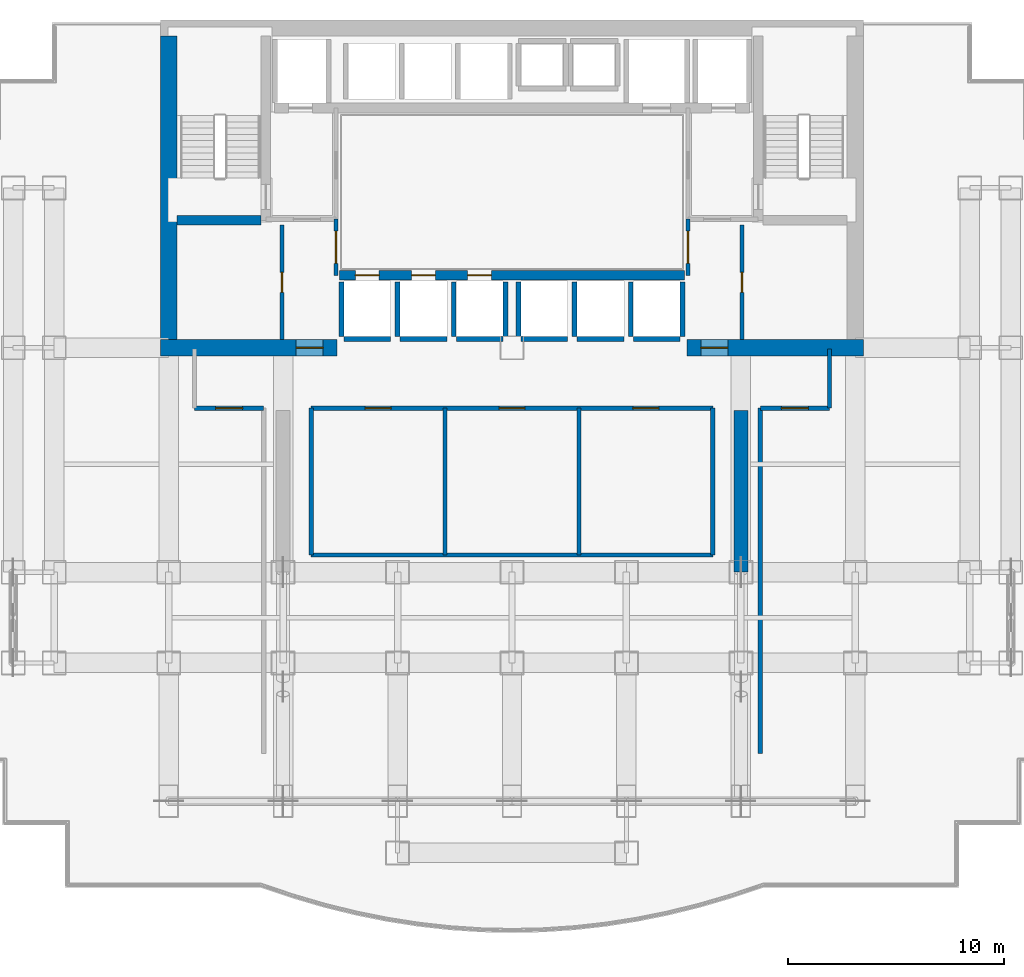
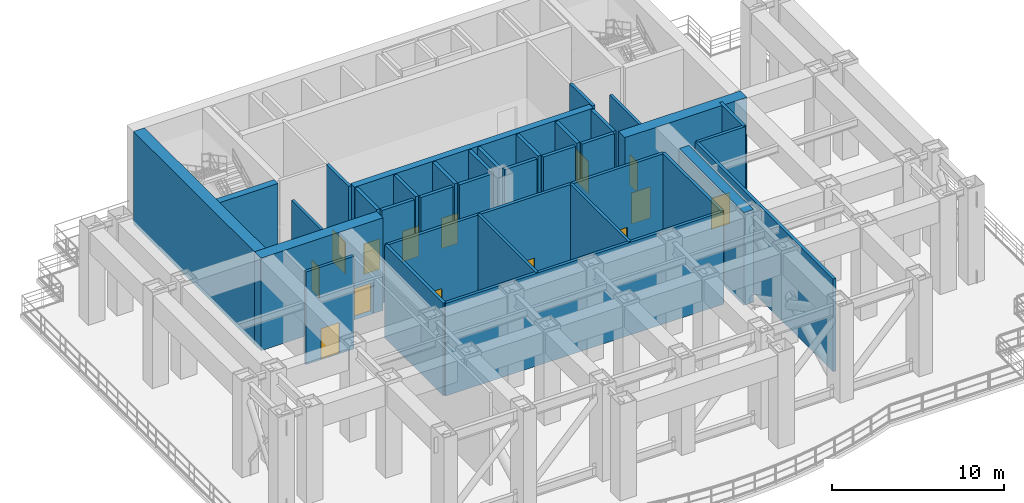
# One storey, part 3 of 7: 34 walls, 14 doors, 14 openings.
"""IFC4 building model written with IfcOpenShell, lengths in metres."""

import ifcopenshell
import ifcopenshell.guid

model = None  # the IFC model being written
_history = None  # IfcOwnerHistory: only IFC2X3 demands one
_inside = {}  # id of a spatial element -> (the spatial element, [elements in it])
_under = {}  # id of a project, library or spatial element -> (it, [spatial elements below it])
_declared = {}  # id of a project -> (the project, [libraries it declares])
_typed = {}  # id of a type object -> (the type object, [elements of that type])
_made_of = {}  # id of a material, layer set ... -> (it, [elements and type objects made of it])


def new_model(schema):
    """Start an empty IFC model of exactly this schema.

    Asked for "IFC4X3", IfcOpenShell would pick the latest addendum, in which some entities
    have other attributes; the version numbers below select the first issue.
    IFC2X3 requires an IfcOwnerHistory on every rooted entity: one is made here for all.
    """
    global model, _history
    if schema == "IFC4X3":
        model = ifcopenshell.file(schema_version=(4, 3, 0, 0))
    else:
        model = ifcopenshell.file(schema=schema)
    _inside.clear()
    _under.clear()
    _declared.clear()
    _typed.clear()
    _made_of.clear()
    _history = None
    if model.schema == "IFC2X3":
        org = make("IfcOrganization", Name="unknown")
        user = make(
            "IfcPersonAndOrganization",
            ThePerson=make("IfcPerson", FamilyName="unknown"),
            TheOrganization=org,
        )
        app = make(
            "IfcApplication",
            ApplicationDeveloper=org,
            Version="unknown",
            ApplicationFullName="unknown",
            ApplicationIdentifier="unknown",
        )
        _history = make(
            "IfcOwnerHistory",
            OwningUser=user,
            OwningApplication=app,
            ChangeAction="ADDED",
            CreationDate=0,
        )
    return model


def make(cls, **values):
    """One entity of the class cls with the attributes given. An attribute that is None is left unset."""
    return model.create_entity(
        cls, **{name: value for name, value in values.items() if value is not None}
    )


def rooted(cls, **values):
    """An entity with a GlobalId (a new one), such as an element, a storey or a relation."""
    return make(cls, GlobalId=ifcopenshell.guid.new(), OwnerHistory=_history, **values)


def si_unit(unit_type, name, prefix=None):
    """IfcSIUnit, for example si_unit("LENGTHUNIT", "METRE", prefix="MILLI")."""
    return make("IfcSIUnit", UnitType=unit_type, Prefix=prefix, Name=name)


def assignment(units):
    """IfcUnitAssignment: the units of a project."""
    return None if units is None else make("IfcUnitAssignment", Units=units)


def point(xyz):
    """IfcCartesianPoint."""
    return None if xyz is None else make("IfcCartesianPoint", Coordinates=xyz)


def direction(xyz):
    """IfcDirection."""
    return None if xyz is None else make("IfcDirection", DirectionRatios=xyz)


def frame(location, z_axis=None, x_axis=None):
    """IfcAxis2Placement3D, a coordinate frame: its origin and axes. An axis left out is left unset."""
    return make(
        "IfcAxis2Placement3D",
        Location=point(location),
        Axis=direction(z_axis),
        RefDirection=direction(x_axis),
    )


def frame_2d(location, x_axis=None):
    """IfcAxis2Placement2D, a coordinate frame in the plane: its origin and x axis."""
    return make(
        "IfcAxis2Placement2D", Location=point(location), RefDirection=direction(x_axis)
    )


def origin():
    """The frame at (0, 0, 0) with its axes left unset."""
    return frame((0.0, 0.0, 0.0))


def place(relative_to, where):
    """IfcLocalPlacement: puts the frame where relative to a parent placement (None: the world)."""
    return make(
        "IfcLocalPlacement", PlacementRelTo=relative_to, RelativePlacement=where
    )


def context(
    kind, dimensions, precision=None, world=None, true_north=None, identifier=None
):
    """IfcGeometricRepresentationContext, for example the 3D "Model" context."""
    return make(
        "IfcGeometricRepresentationContext",
        ContextIdentifier=identifier,
        ContextType=kind,
        CoordinateSpaceDimension=dimensions,
        Precision=precision,
        WorldCoordinateSystem=world,
        TrueNorth=true_north,
    )


def subcontext(parent, identifier, kind, view, scale=None):
    """IfcGeometricRepresentationSubContext, for example "Body" below "Model"."""
    return make(
        "IfcGeometricRepresentationSubContext",
        ContextIdentifier=identifier,
        ContextType=kind,
        ParentContext=parent,
        TargetScale=scale,
        TargetView=view,
    )


def project(units=None, contexts=None):
    """IfcProject with its units and contexts."""
    return rooted(
        "IfcProject",
        Name="project",
        RepresentationContexts=contexts,
        UnitsInContext=assignment(units),
    )


def spatial(cls, under=None, at=None, **own):
    """A site, building, storey or space (cls), placed at a placement, below another one or the project."""
    s = rooted(cls, ObjectPlacement=at, **own)
    if under is not None:
        _under.setdefault(under.id(), (under, []))[1].append(s)
    return s


def profile(cls, at=None, kind="AREA", **sizes):
    """A parametric profile (cls). Its sizes go by their IFC names, for example OverallWidth=200.0."""
    return make(cls, ProfileType=kind, Position=at, **sizes)


def rectangle(**sizes):
    """IfcRectangleProfileDef."""
    return profile("IfcRectangleProfileDef", **sizes)


def extrude(swept, where, along, depth):
    """IfcExtrudedAreaSolid: the profile swept, set in the frame where, extruded along a direction by depth."""
    return make(
        "IfcExtrudedAreaSolid",
        SweptArea=swept,
        Position=where,
        ExtrudedDirection=direction(along),
        Depth=depth,
    )


def shape(context_of_items, identifier, shape_type, items):
    """IfcShapeRepresentation: the items that make up one representation, for example the "Body"."""
    return make(
        "IfcShapeRepresentation",
        ContextOfItems=context_of_items,
        RepresentationIdentifier=identifier,
        RepresentationType=shape_type,
        Items=items,
    )


def material(Name=None, Category=None):
    """IfcMaterial."""
    return make("IfcMaterial", Name=Name, Category=Category)


def layer(
    of_material, thickness, ventilated=None, Name=None, Category=None, Priority=None
):
    """IfcMaterialLayer: one layer of a wall or slab, of a material (None: an air gap)."""
    return make(
        "IfcMaterialLayer",
        Material=of_material,
        LayerThickness=thickness,
        IsVentilated=ventilated,
        Name=Name,
        Category=Category,
        Priority=Priority,
    )


def layer_set(layers, Name=None):
    """IfcMaterialLayerSet."""
    return make("IfcMaterialLayerSet", MaterialLayers=layers, LayerSetName=Name)


def made_of(thing, what):
    """Note that an element or type object is made of a material, layer set ...; save() writes the relation."""
    if what is not None:
        _made_of.setdefault(what.id(), (what, []))[1].append(thing)
    return thing


def type_object(cls, material=None, **own):
    """A type object (cls), such as IfcWallType, which elements share."""
    return made_of(rooted(cls, **own), material)


def element(
    cls,
    number,
    at=None,
    inside=None,
    cuts=None,
    type_object=None,
    material=None,
    context=None,
    identifier="Body",
    shape_type=None,
    held_by="IfcProductDefinitionShape",
    body=None,
    shapes=None,
    **own,
):
    """One element of the class cls, such as IfcWall. Its Tag is "e" and its number.

    at: its placement. inside: the storey or other place that contains it. cuts: it is an
    opening in that element (IfcRelVoidsElement). A single representation is given by context,
    identifier, shape_type and body (its items); several are given by shapes. held_by: the class
    of the entity that holds the representations. save() writes the other relations.
    """
    e = rooted(cls, Tag="e%d" % number, ObjectPlacement=at, **own)
    if body is not None:
        shapes = [shape(context, identifier, shape_type, body)]
    if shapes is not None:
        e.Representation = make(held_by, Representations=shapes)
    if inside is not None:
        _inside.setdefault(inside.id(), (inside, []))[1].append(e)
    if cuts is not None:
        rooted(
            "IfcRelVoidsElement", RelatingBuildingElement=cuts, RelatedOpeningElement=e
        )
    if type_object is not None:
        _typed.setdefault(type_object.id(), (type_object, []))[1].append(e)
    return made_of(e, material)


def fill(opening, filler):
    """IfcRelFillsElement: the door or window that sits in an opening."""
    return rooted(
        "IfcRelFillsElement",
        RelatingOpeningElement=opening,
        RelatedBuildingElement=filler,
    )


def aggregate(whole, parts):
    """IfcRelAggregates: a whole, such as a stair, and the parts it consists of."""
    return rooted("IfcRelAggregates", RelatingObject=whole, RelatedObjects=parts)


def save(model, path):
    """Write the relations noted so far, then the file.

    IfcRelAggregates (storeys below a building ...), IfcRelContainedInSpatialStructure (elements
    in a storey), IfcRelDefinesByType, IfcRelAssociatesMaterial and IfcRelDeclares: one each for
    every whole, place, type object, material and project.
    """
    for whole, parts in _under.values():
        aggregate(whole, parts)
    for where, things in _inside.values():
        rooted(
            "IfcRelContainedInSpatialStructure",
            RelatedElements=things,
            RelatingStructure=where,
        )
    for kind, things in _typed.values():
        rooted("IfcRelDefinesByType", RelatedObjects=things, RelatingType=kind)
    for what, things in _made_of.values():
        rooted("IfcRelAssociatesMaterial", RelatedObjects=things, RelatingMaterial=what)
    for by, libraries in _declared.values():
        rooted("IfcRelDeclares", RelatingContext=by, RelatedDefinitions=libraries)
    model.write(path)


model = new_model("IFC4")

# Units and contexts
model_context = context("Model", 3, precision=1e-05, world=origin(), true_north=direction((0.0, 1.0)))
body_context = subcontext(model_context, "Body", "Model", "MODEL_VIEW")
ifc_project = project(units=[si_unit("LENGTHUNIT", "METRE"), si_unit("AREAUNIT", "SQUARE_METRE"), si_unit("VOLUMEUNIT", "CUBIC_METRE"), si_unit("PLANEANGLEUNIT", "RADIAN"), si_unit("MASSUNIT", "GRAM", prefix="KILO")], contexts=[model_context])

# Site, building, storey
site_placement = place(None, origin())
site = spatial("IfcSite", under=ifc_project, at=site_placement, CompositionType="ELEMENT")
building_placement = place(site_placement, origin())
building = spatial("IfcBuilding", under=site, at=building_placement, Name="Qianlan Lanfeng Residences", CompositionType="ELEMENT")
storey_placement = place(building_placement, frame((0.0, 0.0, 70.39990234375)))
storey = spatial("IfcBuildingStorey", under=building, at=storey_placement, Name="L19", CompositionType="ELEMENT", Elevation=70.39990234375)

# Wall
ifc_material_1 = material(Name="Concrete C60", Category="concrete")
ifc_layer_1 = layer(ifc_material_1, 0.449951171875)
ifc_layer_set_1 = layer_set([ifc_layer_1], Name="Concrete C60")
wall_type_1 = type_object("IfcWallType", Name="CW-RC-450", PredefinedType="SHEAR", material=ifc_layer_set_1)
wall_1_placement = place(storey_placement, frame((10.97509765625, 31.10009765625, 0.0), z_axis=(0.0, 0.0, 1.0), x_axis=(1.0, 0.0, 0.0)))
element("IfcWall", 1, at=wall_1_placement, inside=storey, type_object=wall_type_1, Name="L19 Core Shear Wall ST1S", PredefinedType="SHEAR", context=body_context, shape_type="SweptSolid", body=[
    extrude(rectangle(XDim=3.89990234375, YDim=0.449951171875, at=frame_2d((1.949951171875, 0.0))), origin(), (0.0, 0.0, 1.0), 6.56005859375),
])

# Wall, openings, doors
wall_2_placement = place(storey_placement, frame((18.5, 28.550048828125, 0.0), z_axis=(0.0, 0.0, 1.0), x_axis=(1.0, 0.0, 0.0)))
wall_2 = element("IfcWall", 2, at=wall_2_placement, inside=storey, type_object=wall_type_1, Name="L19 Core Shear Wall LBS", PredefinedType="SHEAR", context=body_context, shape_type="SweptSolid", body=[
    extrude(rectangle(XDim=16.0, YDim=0.449951171875, at=frame_2d((8.0, 0.0))), origin(), (0.0, 0.0, 1.0), 6.56005859375),
])
opening_1_placement = place(wall_2_placement, frame((0.75, 0.0, 0.0)))
opening_1 = element("IfcOpeningElement", 3, at=opening_1_placement, cuts=wall_2, Name="Opening L19-LD-PL-L1", PredefinedType="OPENING", context=body_context, shape_type="SweptSolid", body=[
    extrude(rectangle(XDim=1.10009765625, YDim=2.14990234375, at=frame_2d((0.550048828125, 1.074951171875))), frame((0.0, 0.23486328125, 0.0), z_axis=(0.0, -1.0, 0.0), x_axis=(1.0, 0.0, 0.0)), (0.0, 0.0, 1.0), 0.469970703125),
])
opening_2_placement = place(wall_2_placement, frame((3.35009765625, 0.0, 0.0)))
opening_2 = element("IfcOpeningElement", 4, at=opening_2_placement, cuts=wall_2, Name="Opening L19-LD-PL-L2", PredefinedType="OPENING", context=body_context, shape_type="SweptSolid", body=[
    extrude(rectangle(XDim=1.10009765625, YDim=2.14990234375, at=frame_2d((0.550048828125, 1.074951171875))), frame((0.0, 0.23486328125, 0.0), z_axis=(0.0, -1.0, 0.0), x_axis=(1.0, 0.0, 0.0)), (0.0, 0.0, 1.0), 0.469970703125),
])
opening_3_placement = place(wall_2_placement, frame((5.949951171875, 0.0, 0.0)))
opening_3 = element("IfcOpeningElement", 5, at=opening_3_placement, cuts=wall_2, Name="Opening L19-LD-PL-L3", PredefinedType="OPENING", context=body_context, shape_type="SweptSolid", body=[
    extrude(rectangle(XDim=1.10009765625, YDim=2.14990234375, at=frame_2d((0.550048828125, 1.074951171875))), frame((0.0, 0.23486328125, 0.0), z_axis=(0.0, -1.0, 0.0), x_axis=(1.0, 0.0, 0.0)), (0.0, 0.0, 1.0), 0.469970703125),
])
ifc_material_2 = material(Name="Brushed Stainless Steel Sliding Lift Door", Category="steel")
door_type_1 = type_object("IfcDoorType", Name="LD-01", OperationType="NOTDEFINED", PredefinedType="DOOR", material=ifc_material_2)
door_1_placement = place(opening_1_placement, origin())
door_1 = element("IfcDoor", 6, at=door_1_placement, inside=storey, type_object=door_type_1, Name="L19 Elevator PL-L1 Sliding Landing Door", OperationType="DOUBLE_DOOR_SLIDING", OverallHeight=2.14990234375, OverallWidth=1.10009765625, PredefinedType="DOOR", context=body_context, shape_type="SweptSolid", body=[
    extrude(rectangle(XDim=1.10009765625, YDim=2.14990234375, at=frame_2d((0.550048828125, 1.074951171875))), frame((0.0, 0.02490234375, 0.0), z_axis=(0.0, -1.0, 0.0), x_axis=(1.0, 0.0, 0.0)), (0.0, 0.0, 1.0), 0.050048828125),
])
fill(opening_1, door_1)
door_2_placement = place(opening_2_placement, origin())
door_2 = element("IfcDoor", 7, at=door_2_placement, inside=storey, type_object=door_type_1, Name="L19 Elevator PL-L2 Sliding Landing Door", OperationType="DOUBLE_DOOR_SLIDING", OverallHeight=2.14990234375, OverallWidth=1.10009765625, PredefinedType="DOOR", context=body_context, shape_type="SweptSolid", body=[
    extrude(rectangle(XDim=1.10009765625, YDim=2.14990234375, at=frame_2d((0.550048828125, 1.074951171875))), frame((0.0, 0.02490234375, 0.0), z_axis=(0.0, -1.0, 0.0), x_axis=(1.0, 0.0, 0.0)), (0.0, 0.0, 1.0), 0.050048828125),
])
fill(opening_2, door_2)
door_3_placement = place(opening_3_placement, origin())
door_3 = element("IfcDoor", 8, at=door_3_placement, inside=storey, type_object=door_type_1, Name="L19 Elevator PL-L3 Sliding Landing Door", OperationType="DOUBLE_DOOR_SLIDING", OverallHeight=2.14990234375, OverallWidth=1.10009765625, PredefinedType="DOOR", context=body_context, shape_type="SweptSolid", body=[
    extrude(rectangle(XDim=1.10009765625, YDim=2.14990234375, at=frame_2d((0.550048828125, 1.074951171875))), frame((0.0, 0.02490234375, 0.0), z_axis=(0.0, -1.0, 0.0), x_axis=(1.0, 0.0, 0.0)), (0.0, 0.0, 1.0), 0.050048828125),
])
fill(opening_3, door_3)

# Wall
ifc_layer_2 = layer(ifc_material_1, 0.75)
ifc_layer_set_2 = layer_set([ifc_layer_2], Name="Concrete C60")
wall_type_2 = type_object("IfcWallType", Name="CW-RC-750", PredefinedType="SHEAR", material=ifc_layer_set_2)
wall_3_placement = place(storey_placement, frame((10.60009765625, 25.574951171875, 0.0), z_axis=(0.0, 0.0, 1.0), x_axis=(0.0, 1.0, 0.0)))
element("IfcWall", 9, at=wall_3_placement, inside=storey, type_object=wall_type_2, Name="L19 Core Shear Wall W", PredefinedType="SHEAR", context=body_context, shape_type="SweptSolid", body=[
    extrude(rectangle(XDim=14.050048828125, YDim=0.75, at=frame_2d((7.02490234375, 0.0))), origin(), (0.0, 0.0, 1.0), 6.56005859375),
])

# Wall, opening, door
wall_4_placement = place(storey_placement, frame((10.22509765625, 25.199951171875, 0.0), z_axis=(0.0, 0.0, 1.0), x_axis=(1.0, 0.0, 0.0)))
wall_4 = element("IfcWall", 10, at=wall_4_placement, inside=storey, type_object=wall_type_2, Name="L19 Core Shear Wall SW", PredefinedType="SHEAR", context=body_context, shape_type="SweptSolid", body=[
    extrude(rectangle(XDim=8.1748046875, YDim=0.75, at=frame_2d((4.08740234375, 0.0))), origin(), (0.0, 0.0, 1.0), 6.56005859375),
])
opening_4_placement = place(wall_4_placement, frame((6.27490234375, 0.0, 0.0)))
opening_4 = element("IfcOpeningElement", 11, at=opening_4_placement, cuts=wall_4, Name="Opening L19-D01", PredefinedType="OPENING", context=body_context, shape_type="SweptSolid", body=[
    extrude(rectangle(XDim=1.25, YDim=2.199951171875, at=frame_2d((0.625, 1.10009765625))), frame((0.0, 0.385009765625, 0.0), z_axis=(0.0, -1.0, 0.0), x_axis=(1.0, 0.0, 0.0)), (0.0, 0.0, 1.0), 0.77001953125),
])
ifc_material_3 = material(Name="Painted Galvanised Steel Fire Door", Category="steel")
door_type_2 = type_object("IfcDoorType", Name="DT-FFL", OperationType="NOTDEFINED", PredefinedType="DOOR", material=ifc_material_3)
door_4_placement = place(opening_4_placement, frame((1.25, 0.0, 0.0), z_axis=(0.0, 0.0, 1.0), x_axis=(-1.0, 0.0, 0.0)))
door_4 = element("IfcDoor", 12, at=door_4_placement, inside=storey, type_object=door_type_2, Name="L19 West Core Lobby Smoke Door L19-D01 (DT-FFL)", OperationType="SINGLE_SWING_RIGHT", OverallHeight=2.199951171875, OverallWidth=1.25, PredefinedType="DOOR", context=body_context, shape_type="SweptSolid", body=[
    extrude(rectangle(XDim=1.25, YDim=2.199951171875, at=frame_2d((0.625, 1.10009765625))), frame((0.0, 0.02490234375, 0.0), z_axis=(0.0, -1.0, 0.0), x_axis=(1.0, 0.0, 0.0)), (0.0, 0.0, 1.0), 0.050048828125),
])
fill(opening_4, door_4)

wall_5_placement = place(storey_placement, frame((34.60009765625, 25.199951171875, 0.0), z_axis=(0.0, 0.0, 1.0), x_axis=(1.0, 0.0, 0.0)))
wall_5 = element("IfcWall", 13, at=wall_5_placement, inside=storey, type_object=wall_type_2, Name="L19 Core Shear Wall SE", PredefinedType="SHEAR", context=body_context, shape_type="SweptSolid", body=[
    extrude(rectangle(XDim=8.1748046875, YDim=0.75, at=frame_2d((4.08740234375, 0.0))), origin(), (0.0, 0.0, 1.0), 6.56005859375),
])
opening_5_placement = place(wall_5_placement, frame((0.64990234375, 0.0, 0.0)))
opening_5 = element("IfcOpeningElement", 14, at=opening_5_placement, cuts=wall_5, Name="Opening L19-D02", PredefinedType="OPENING", context=body_context, shape_type="SweptSolid", body=[
    extrude(rectangle(XDim=1.25, YDim=2.199951171875, at=frame_2d((0.625, 1.10009765625))), frame((0.0, 0.385009765625, 0.0), z_axis=(0.0, -1.0, 0.0), x_axis=(1.0, 0.0, 0.0)), (0.0, 0.0, 1.0), 0.77001953125),
])
door_5_placement = place(opening_5_placement, frame((1.25, 0.0, 0.0), z_axis=(0.0, 0.0, 1.0), x_axis=(-1.0, 0.0, 0.0)))
door_5 = element("IfcDoor", 15, at=door_5_placement, inside=storey, type_object=door_type_2, Name="L19 East Core Lobby Smoke Door L19-D02 (DT-FFL)", OperationType="SINGLE_SWING_LEFT", OverallHeight=2.199951171875, OverallWidth=1.25, PredefinedType="DOOR", context=body_context, shape_type="SweptSolid", body=[
    extrude(rectangle(XDim=1.25, YDim=2.199951171875, at=frame_2d((0.625, 1.10009765625))), frame((0.0, 0.02490234375, 0.0), z_axis=(0.0, -1.0, 0.0), x_axis=(1.0, 0.0, 0.0)), (0.0, 0.0, 1.0), 0.050048828125),
])
fill(opening_5, door_5)

# Wall
ifc_layer_3 = layer(ifc_material_1, 0.64990234375)
ifc_layer_set_3 = layer_set([ifc_layer_3], Name="Concrete C60")
wall_type_3 = type_object("IfcWallType", Name="OW-RC-650", PredefinedType="SHEAR", material=ifc_layer_set_3)
wall_6_placement = place(storey_placement, frame((37.10009765625, 14.800048828125, 0.0), z_axis=(0.0, 0.0, 1.0), x_axis=(0.0, 1.0, 0.0)))
element("IfcWall", 16, at=wall_6_placement, inside=storey, type_object=wall_type_3, Name="L19 Outrigger Shear Wall OW-E", PredefinedType="SHEAR", context=body_context, shape_type="SweptSolid", body=[
    extrude(rectangle(XDim=7.5, YDim=0.64990234375, at=frame_2d((3.75, 0.0))), origin(), (0.0, 0.0, 1.0), 6.56005859375),
])

# Wall, opening, door
ifc_material_4 = material(Name="Double-Layer Acoustic Gypsum Stud Wall 180 mm")
ifc_layer_4 = layer(ifc_material_4, 0.179931640625)
ifc_layer_set_4 = layer_set([ifc_layer_4], Name="Double-Layer Acoustic Gypsum Stud Wall 180 mm")
wall_type_4 = type_object("IfcWallType", Name="PW-180", PredefinedType="PARTITIONING", material=ifc_layer_set_4)
wall_7_placement = place(storey_placement, frame((15.85009765625, 25.574951171875, 0.0), z_axis=(0.0, 0.0, 1.0), x_axis=(0.0, 1.0, 0.0)))
wall_7 = element("IfcWall", 17, at=wall_7_placement, inside=storey, type_object=wall_type_4, Name="L19 Core West Service Room Wall", PredefinedType="PARTITIONING", context=body_context, shape_type="SweptSolid", body=[
    extrude(rectangle(XDim=5.300048828125, YDim=0.179931640625, at=frame_2d((2.64990234375, 0.0))), origin(), (0.0, 0.0, 1.0), 5.05517578125),
])
opening_6_placement = place(wall_7_placement, frame((2.18994140625, 0.0, 0.0)))
opening_6 = element("IfcOpeningElement", 18, at=opening_6_placement, cuts=wall_7, Name="Opening L19-D09", PredefinedType="OPENING", context=body_context, shape_type="SweptSolid", body=[
    extrude(rectangle(XDim=0.919921875, YDim=2.14990234375, at=frame_2d((0.4599609375, 1.074951171875))), frame((0.0, 0.10009765625, 0.0), z_axis=(0.0, -1.0, 0.0), x_axis=(1.0, 0.0, 0.0)), (0.0, 0.0, 1.0), 0.199951171875),
])
ifc_material_5 = material(Name="Glazed Timber Kitchen/Study Door", Category="wood")
door_type_3 = type_object("IfcDoorType", Name="DT-INT", OperationType="NOTDEFINED", PredefinedType="DOOR", material=ifc_material_5)
door_6_placement = place(opening_6_placement, origin())
door_6 = element("IfcDoor", 19, at=door_6_placement, inside=storey, type_object=door_type_3, Name="L19 Core Storage Door L19-D09 (DT-INT)", OperationType="SINGLE_SWING_RIGHT", OverallHeight=2.14990234375, OverallWidth=0.919921875, PredefinedType="DOOR", context=body_context, shape_type="SweptSolid", body=[
    extrude(rectangle(XDim=0.919921875, YDim=2.14990234375, at=frame_2d((0.4599609375, 1.074951171875))), frame((0.0, 0.02490234375, 0.0), z_axis=(0.0, -1.0, 0.0), x_axis=(1.0, 0.0, 0.0)), (0.0, 0.0, 1.0), 0.050048828125),
])
fill(opening_6, door_6)

wall_8_placement = place(storey_placement, frame((37.14990234375, 25.574951171875, 0.0), z_axis=(0.0, 0.0, 1.0), x_axis=(0.0, 1.0, 0.0)))
wall_8 = element("IfcWall", 20, at=wall_8_placement, inside=storey, type_object=wall_type_4, Name="L19 Core East Service Room Wall", PredefinedType="PARTITIONING", context=body_context, shape_type="SweptSolid", body=[
    extrude(rectangle(XDim=5.300048828125, YDim=0.179931640625, at=frame_2d((2.64990234375, 0.0))), origin(), (0.0, 0.0, 1.0), 5.05517578125),
])
opening_7_placement = place(wall_8_placement, frame((2.18994140625, 0.0, 0.0)))
opening_7 = element("IfcOpeningElement", 21, at=opening_7_placement, cuts=wall_8, Name="Opening L19-D10", PredefinedType="OPENING", context=body_context, shape_type="SweptSolid", body=[
    extrude(rectangle(XDim=0.919921875, YDim=2.14990234375, at=frame_2d((0.4599609375, 1.074951171875))), frame((0.0, 0.10009765625, 0.0), z_axis=(0.0, -1.0, 0.0), x_axis=(1.0, 0.0, 0.0)), (0.0, 0.0, 1.0), 0.199951171875),
])
door_7_placement = place(opening_7_placement, origin())
door_7 = element("IfcDoor", 22, at=door_7_placement, inside=storey, type_object=door_type_3, Name="L19 Refuse Recycling Door L19-D10 (DT-INT)", OperationType="SINGLE_SWING_LEFT", OverallHeight=2.14990234375, OverallWidth=0.919921875, PredefinedType="DOOR", context=body_context, shape_type="SweptSolid", body=[
    extrude(rectangle(XDim=0.919921875, YDim=2.14990234375, at=frame_2d((0.4599609375, 1.074951171875))), frame((0.0, 0.02490234375, 0.0), z_axis=(0.0, -1.0, 0.0), x_axis=(1.0, 0.0, 0.0)), (0.0, 0.0, 1.0), 0.050048828125),
])
fill(opening_7, door_7)

# Walls
for number, where, z_axis, x_axis, name in (
    (23, (23.39990234375, 15.60009765625, 0.0), (0.0, 0.0, 1.0), (0.0, 1.0, 0.0), "L19 Plant Divider 1"),
    (24, (29.60009765625, 15.60009765625, 0.0), (0.0, 0.0, 1.0), (0.0, 1.0, 0.0), "L19 Plant Divider 2"),
):
    element("IfcWall", number, at=place(storey_placement, frame(where, z_axis=z_axis, x_axis=x_axis)), inside=storey, type_object=wall_type_4, Name=name, PredefinedType="PARTITIONING", context=body_context, shape_type="SweptSolid", body=[
        extrude(rectangle(XDim=6.7998046875, YDim=0.179931640625, at=frame_2d((3.39990234375, 0.0))), origin(), (0.0, 0.0, 1.0), 6.56005859375),
    ])

# Wall, opening, door
ifc_material_6 = material(Name="Autoclaved Aerated Concrete Blockwork 200 mm", Category="masonry")
ifc_layer_5 = layer(ifc_material_6, 0.199951171875)
ifc_layer_set_5 = layer_set([ifc_layer_5], Name="Autoclaved Aerated Concrete Blockwork 200 mm")
wall_type_5 = type_object("IfcWallType", Name="PW-200", PredefinedType="PARTITIONING", material=ifc_layer_set_5)
wall_9_placement = place(storey_placement, frame((18.35009765625, 28.550048828125, 0.0), z_axis=(0.0, 0.0, 1.0), x_axis=(0.0, 1.0, 0.0)))
wall_9 = element("IfcWall", 25, at=wall_9_placement, inside=storey, type_object=wall_type_5, Name="L19 Lift Lobby West Connector Wall", PredefinedType="PARTITIONING", context=body_context, shape_type="SweptSolid", body=[
    extrude(rectangle(XDim=2.599853515625, YDim=0.199951171875, at=frame_2d((1.2998046875, 0.0))), origin(), (0.0, 0.0, 1.0), 6.56005859375),
])
opening_8_placement = place(wall_9_placement, frame((0.550048828125, 0.0, 0.0)))
opening_8 = element("IfcOpeningElement", 26, at=opening_8_placement, cuts=wall_9, Name="Opening L19-D11", PredefinedType="OPENING", context=body_context, shape_type="SweptSolid", body=[
    extrude(rectangle(XDim=1.5, YDim=2.25, at=frame_2d((0.75, 1.125))), frame((0.0, 0.10986328125, 0.0), z_axis=(0.0, -1.0, 0.0), x_axis=(1.0, 0.0, 0.0)), (0.0, 0.0, 1.0), 0.219970703125),
])
ifc_material_7 = material(Name="Timber Veneer Acoustic Fire Door", Category="wood")
door_type_4 = type_object("IfcDoorType", Name="DT-COR1", OperationType="NOTDEFINED", PredefinedType="DOOR", material=ifc_material_7)
door_8_placement = place(opening_8_placement, origin())
door_8 = element("IfcDoor", 27, at=door_8_placement, inside=storey, type_object=door_type_4, Name="L19 Lift Lobby West Portal Door L19-D11 (DT-COR1)", OperationType="DOUBLE_DOOR_SINGLE_SWING", OverallHeight=2.25, OverallWidth=1.5, PredefinedType="DOOR", context=body_context, shape_type="SweptSolid", body=[
    extrude(rectangle(XDim=1.5, YDim=2.25, at=frame_2d((0.75, 1.125))), frame((0.0, 0.02490234375, 0.0), z_axis=(0.0, -1.0, 0.0), x_axis=(1.0, 0.0, 0.0)), (0.0, 0.0, 1.0), 0.050048828125),
])
fill(opening_8, door_8)

wall_10_placement = place(storey_placement, frame((34.64990234375, 28.550048828125, 0.0), z_axis=(0.0, 0.0, 1.0), x_axis=(0.0, 1.0, 0.0)))
wall_10 = element("IfcWall", 28, at=wall_10_placement, inside=storey, type_object=wall_type_5, Name="L19 Lift Lobby East Connector Wall", PredefinedType="PARTITIONING", context=body_context, shape_type="SweptSolid", body=[
    extrude(rectangle(XDim=2.599853515625, YDim=0.199951171875, at=frame_2d((1.2998046875, 0.0))), origin(), (0.0, 0.0, 1.0), 6.56005859375),
])
opening_9_placement = place(wall_10_placement, frame((0.550048828125, 0.0, 0.0)))
opening_9 = element("IfcOpeningElement", 29, at=opening_9_placement, cuts=wall_10, Name="Opening L19-D12", PredefinedType="OPENING", context=body_context, shape_type="SweptSolid", body=[
    extrude(rectangle(XDim=1.5, YDim=2.25, at=frame_2d((0.75, 1.125))), frame((0.0, 0.10986328125, 0.0), z_axis=(0.0, -1.0, 0.0), x_axis=(1.0, 0.0, 0.0)), (0.0, 0.0, 1.0), 0.219970703125),
])
door_9_placement = place(opening_9_placement, frame((1.5, 0.0, 0.0), z_axis=(0.0, 0.0, 1.0), x_axis=(-1.0, 0.0, 0.0)))
door_9 = element("IfcDoor", 30, at=door_9_placement, inside=storey, type_object=door_type_4, Name="L19 Lift Lobby East Portal Door L19-D12 (DT-COR1)", OperationType="DOUBLE_DOOR_SINGLE_SWING", OverallHeight=2.25, OverallWidth=1.5, PredefinedType="DOOR", context=body_context, shape_type="SweptSolid", body=[
    extrude(rectangle(XDim=1.5, YDim=2.25, at=frame_2d((0.75, 1.125))), frame((0.0, 0.02490234375, 0.0), z_axis=(0.0, -1.0, 0.0), x_axis=(1.0, 0.0, 0.0)), (0.0, 0.0, 1.0), 0.050048828125),
])
fill(opening_9, door_9)

# Wall, openings, doors
wall_11_placement = place(storey_placement, frame((17.199951171875, 22.39990234375, 0.0), z_axis=(0.0, 0.0, 1.0), x_axis=(1.0, 0.0, 0.0)))
wall_11 = element("IfcWall", 31, at=wall_11_placement, inside=storey, type_object=wall_type_5, Name="L19 Plant Block North Wall", PredefinedType="PARTITIONING", context=body_context, shape_type="SweptSolid", body=[
    extrude(rectangle(XDim=18.60009765625, YDim=0.199951171875, at=frame_2d((9.300048828125, 0.0))), origin(), (0.0, 0.0, 1.0), 6.56005859375),
])
opening_10_placement = place(wall_11_placement, frame((2.5, 0.0, 0.0)))
opening_10 = element("IfcOpeningElement", 32, at=opening_10_placement, cuts=wall_11, Name="Opening L19-D13", PredefinedType="OPENING", context=body_context, shape_type="SweptSolid", body=[
    extrude(rectangle(XDim=1.199951171875, YDim=2.199951171875, at=frame_2d((0.60009765625, 1.10009765625))), frame((0.0, 0.10986328125, 0.0), z_axis=(0.0, -1.0, 0.0), x_axis=(1.0, 0.0, 0.0)), (0.0, 0.0, 1.0), 0.219970703125),
])
opening_11_placement = place(wall_11_placement, frame((8.699951171875, 0.0, 0.0)))
opening_11 = element("IfcOpeningElement", 33, at=opening_11_placement, cuts=wall_11, Name="Opening L19-D14", PredefinedType="OPENING", context=body_context, shape_type="SweptSolid", body=[
    extrude(rectangle(XDim=1.199951171875, YDim=2.199951171875, at=frame_2d((0.60009765625, 1.10009765625))), frame((0.0, 0.10986328125, 0.0), z_axis=(0.0, -1.0, 0.0), x_axis=(1.0, 0.0, 0.0)), (0.0, 0.0, 1.0), 0.219970703125),
])
opening_12_placement = place(wall_11_placement, frame((14.89990234375, 0.0, 0.0)))
opening_12 = element("IfcOpeningElement", 34, at=opening_12_placement, cuts=wall_11, Name="Opening L19-D15", PredefinedType="OPENING", context=body_context, shape_type="SweptSolid", body=[
    extrude(rectangle(XDim=1.199951171875, YDim=2.199951171875, at=frame_2d((0.60009765625, 1.10009765625))), frame((0.0, 0.10986328125, 0.0), z_axis=(0.0, -1.0, 0.0), x_axis=(1.0, 0.0, 0.0)), (0.0, 0.0, 1.0), 0.219970703125),
])
ifc_material_8 = material(Name="Painted Galvanised Steel Plant Door", Category="steel")
door_type_5 = type_object("IfcDoorType", Name="DT-PLT", OperationType="NOTDEFINED", PredefinedType="DOOR", material=ifc_material_8)
door_10_placement = place(opening_10_placement, origin())
door_10 = element("IfcDoor", 35, at=door_10_placement, inside=storey, type_object=door_type_5, Name="L19 Mechanical Fan Room Door L19-D13 (DT-PLT)", OperationType="SINGLE_SWING_RIGHT", OverallHeight=2.199951171875, OverallWidth=1.199951171875, PredefinedType="DOOR", context=body_context, shape_type="SweptSolid", body=[
    extrude(rectangle(XDim=1.199951171875, YDim=2.199951171875, at=frame_2d((0.60009765625, 1.10009765625))), frame((0.0, 0.02490234375, 0.0), z_axis=(0.0, -1.0, 0.0), x_axis=(1.0, 0.0, 0.0)), (0.0, 0.0, 1.0), 0.050048828125),
])
fill(opening_10, door_10)
door_11_placement = place(opening_11_placement, origin())
door_11 = element("IfcDoor", 36, at=door_11_placement, inside=storey, type_object=door_type_5, Name="L19 Electrical Switchroom Door L19-D14 (DT-PLT)", OperationType="SINGLE_SWING_LEFT", OverallHeight=2.199951171875, OverallWidth=1.199951171875, PredefinedType="DOOR", context=body_context, shape_type="SweptSolid", body=[
    extrude(rectangle(XDim=1.199951171875, YDim=2.199951171875, at=frame_2d((0.60009765625, 1.10009765625))), frame((0.0, 0.02490234375, 0.0), z_axis=(0.0, -1.0, 0.0), x_axis=(1.0, 0.0, 0.0)), (0.0, 0.0, 1.0), 0.050048828125),
])
fill(opening_11, door_11)
door_12_placement = place(opening_12_placement, origin())
door_12 = element("IfcDoor", 37, at=door_12_placement, inside=storey, type_object=door_type_5, Name="L19 Domestic Booster Pump Door L19-D15 (DT-PLT)", OperationType="SINGLE_SWING_RIGHT", OverallHeight=2.199951171875, OverallWidth=1.199951171875, PredefinedType="DOOR", context=body_context, shape_type="SweptSolid", body=[
    extrude(rectangle(XDim=1.199951171875, YDim=2.199951171875, at=frame_2d((0.60009765625, 1.10009765625))), frame((0.0, 0.02490234375, 0.0), z_axis=(0.0, -1.0, 0.0), x_axis=(1.0, 0.0, 0.0)), (0.0, 0.0, 1.0), 0.050048828125),
])
fill(opening_12, door_12)

# Walls
wall_12_placement = place(storey_placement, frame((17.199951171875, 15.60009765625, 0.0), z_axis=(0.0, 0.0, 1.0), x_axis=(1.0, 0.0, 0.0)))
element("IfcWall", 38, at=wall_12_placement, inside=storey, type_object=wall_type_5, Name="L19 Plant Block South Wall", PredefinedType="PARTITIONING", context=body_context, shape_type="SweptSolid", body=[
    extrude(rectangle(XDim=18.60009765625, YDim=0.199951171875, at=frame_2d((9.300048828125, 0.0))), origin(), (0.0, 0.0, 1.0), 6.56005859375),
])
for number, where, z_axis, x_axis, name in (
    (39, (17.199951171875, 15.60009765625, 0.0), (0.0, 0.0, 1.0), (0.0, 1.0, 0.0), "L19 Plant Block West Wall"),
    (40, (35.800048828125, 15.60009765625, 0.0), (0.0, 0.0, 1.0), (0.0, 1.0, 0.0), "L19 Plant Block East Wall"),
):
    element("IfcWall", number, at=place(storey_placement, frame(where, z_axis=z_axis, x_axis=x_axis)), inside=storey, type_object=wall_type_5, Name=name, PredefinedType="PARTITIONING", context=body_context, shape_type="SweptSolid", body=[
        extrude(rectangle(XDim=6.7998046875, YDim=0.199951171875, at=frame_2d((3.39990234375, 0.0))), origin(), (0.0, 0.0, 1.0), 6.56005859375),
    ])

# Wall, opening, door
wall_13_placement = place(storey_placement, frame((11.800048828125, 22.39990234375, 0.0), z_axis=(0.0, 0.0, 1.0), x_axis=(1.0, 0.0, 0.0)))
wall_13 = element("IfcWall", 41, at=wall_13_placement, inside=storey, type_object=wall_type_5, Name="L19 West Refuge Exit Wall", PredefinedType="PARTITIONING", context=body_context, shape_type="SweptSolid", body=[
    extrude(rectangle(XDim=3.199951171875, YDim=0.199951171875, at=frame_2d((1.60009765625, 0.0))), origin(), (0.0, 0.0, 1.0), 6.56005859375),
])
opening_13_placement = place(wall_13_placement, frame((0.97509765625, 0.0, 0.0)))
opening_13 = element("IfcOpeningElement", 42, at=opening_13_placement, cuts=wall_13, Name="Opening L19-D16", PredefinedType="OPENING", context=body_context, shape_type="SweptSolid", body=[
    extrude(rectangle(XDim=1.25, YDim=2.199951171875, at=frame_2d((0.625, 1.10009765625))), frame((0.0, 0.10986328125, 0.0), z_axis=(0.0, -1.0, 0.0), x_axis=(1.0, 0.0, 0.0)), (0.0, 0.0, 1.0), 0.219970703125),
])
door_13_placement = place(opening_13_placement, frame((1.25, 0.0, 0.0), z_axis=(0.0, 0.0, 1.0), x_axis=(-1.0, 0.0, 0.0)))
door_13 = element("IfcDoor", 43, at=door_13_placement, inside=storey, type_object=door_type_2, Name="L19 L19 West Refuge Area Smoke Door L19-D16 (DT-FFL)", OperationType="SINGLE_SWING_LEFT", OverallHeight=2.199951171875, OverallWidth=1.25, PredefinedType="DOOR", context=body_context, shape_type="SweptSolid", body=[
    extrude(rectangle(XDim=1.25, YDim=2.199951171875, at=frame_2d((0.625, 1.10009765625))), frame((0.0, 0.02490234375, 0.0), z_axis=(0.0, -1.0, 0.0), x_axis=(1.0, 0.0, 0.0)), (0.0, 0.0, 1.0), 0.050048828125),
])
fill(opening_13, door_13)

wall_14_placement = place(storey_placement, frame((38.0, 22.39990234375, 0.0), z_axis=(0.0, 0.0, 1.0), x_axis=(1.0, 0.0, 0.0)))
wall_14 = element("IfcWall", 44, at=wall_14_placement, inside=storey, type_object=wall_type_5, Name="L19 East Refuge Exit Wall", PredefinedType="PARTITIONING", context=body_context, shape_type="SweptSolid", body=[
    extrude(rectangle(XDim=3.199951171875, YDim=0.199951171875, at=frame_2d((1.60009765625, 0.0))), origin(), (0.0, 0.0, 1.0), 6.56005859375),
])
opening_14_placement = place(wall_14_placement, frame((0.97509765625, 0.0, 0.0)))
opening_14 = element("IfcOpeningElement", 45, at=opening_14_placement, cuts=wall_14, Name="Opening L19-D17", PredefinedType="OPENING", context=body_context, shape_type="SweptSolid", body=[
    extrude(rectangle(XDim=1.25, YDim=2.199951171875, at=frame_2d((0.625, 1.10009765625))), frame((0.0, 0.10986328125, 0.0), z_axis=(0.0, -1.0, 0.0), x_axis=(1.0, 0.0, 0.0)), (0.0, 0.0, 1.0), 0.219970703125),
])
door_14_placement = place(opening_14_placement, frame((1.25, 0.0, 0.0), z_axis=(0.0, 0.0, 1.0), x_axis=(-1.0, 0.0, 0.0)))
door_14 = element("IfcDoor", 46, at=door_14_placement, inside=storey, type_object=door_type_2, Name="L19 L19 East Refuge Area Smoke Door L19-D17 (DT-FFL)", OperationType="SINGLE_SWING_RIGHT", OverallHeight=2.199951171875, OverallWidth=1.25, PredefinedType="DOOR", context=body_context, shape_type="SweptSolid", body=[
    extrude(rectangle(XDim=1.25, YDim=2.199951171875, at=frame_2d((0.625, 1.10009765625))), frame((0.0, 0.02490234375, 0.0), z_axis=(0.0, -1.0, 0.0), x_axis=(1.0, 0.0, 0.0)), (0.0, 0.0, 1.0), 0.050048828125),
])
fill(opening_14, door_14)

# Walls
wall_15_placement = place(storey_placement, frame((41.199951171875, 22.39990234375, 0.0), z_axis=(0.0, 0.0, 1.0), x_axis=(0.0, 1.0, 0.0)))
element("IfcWall", 47, at=wall_15_placement, inside=storey, type_object=wall_type_5, Name="L19 East Refuge End Wall", PredefinedType="PARTITIONING", context=body_context, shape_type="SweptSolid", body=[
    extrude(rectangle(XDim=2.75, YDim=0.199951171875, at=frame_2d((1.375, 0.0))), origin(), (0.0, 0.0, 1.0), 6.56005859375),
])
wall_16_placement = place(storey_placement, frame((38.0, 6.39990234375, 0.0), z_axis=(0.0, 0.0, 1.0), x_axis=(0.0, 1.0, 0.0)))
element("IfcWall", 48, at=wall_16_placement, inside=storey, type_object=wall_type_5, Name="L19 East Outrigger Zone Separation Wall", PredefinedType="PARTITIONING", context=body_context, shape_type="SweptSolid", body=[
    extrude(rectangle(XDim=16.0, YDim=0.199951171875, at=frame_2d((8.0, 0.0))), origin(), (0.0, 0.0, 1.0), 6.56005859375),
])
ifc_material_9 = material(Name="Concrete C49", Category="concrete")
ifc_layer_6 = layer(ifc_material_9, 0.219970703125)
ifc_layer_set_6 = layer_set([ifc_layer_6], Name="Concrete C49")
wall_type_6 = type_object("IfcWallType", Name="SHW-220", PredefinedType="SOLIDWALL", material=ifc_layer_set_6)
wall_17_placement = place(storey_placement, frame((18.60009765625, 25.719970703125, 0.0), z_axis=(0.0, 0.0, 1.0), x_axis=(0.0, 1.0, 0.0)))
element("IfcWall", 49, at=wall_17_placement, inside=storey, type_object=wall_type_6, Name="L19 Lift PL-L1 Shaft Wall W", PredefinedType="SOLIDWALL", context=body_context, shape_type="SweptSolid", body=[
    extrude(rectangle(XDim=2.530029296875, YDim=0.219970703125, at=frame_2d((1.26513671875, 0.0))), origin(), (0.0, 0.0, 1.0), 6.56005859375),
])
wall_18_placement = place(storey_placement, frame((18.719970703125, 25.60009765625, 0.0), z_axis=(0.0, 0.0, 1.0), x_axis=(1.0, 0.0, 0.0)))
element("IfcWall", 50, at=wall_18_placement, inside=storey, type_object=wall_type_6, Name="L19 Lift PL-L1 Shaft Back Wall S", PredefinedType="SOLIDWALL", context=body_context, shape_type="SweptSolid", body=[
    extrude(rectangle(XDim=2.159912109375, YDim=0.219970703125, at=frame_2d((1.080078125, 0.0))), origin(), (0.0, 0.0, 1.0), 6.56005859375),
])
wall_19_placement = place(storey_placement, frame((21.199951171875, 25.719970703125, 0.0), z_axis=(0.0, 0.0, 1.0), x_axis=(0.0, 1.0, 0.0)))
element("IfcWall", 51, at=wall_19_placement, inside=storey, type_object=wall_type_6, Name="L19 Lift PL-L2 Shaft Wall W", PredefinedType="SOLIDWALL", context=body_context, shape_type="SweptSolid", body=[
    extrude(rectangle(XDim=2.530029296875, YDim=0.219970703125, at=frame_2d((1.26513671875, 0.0))), origin(), (0.0, 0.0, 1.0), 6.56005859375),
])
wall_20_placement = place(storey_placement, frame((21.320068359375, 25.60009765625, 0.0), z_axis=(0.0, 0.0, 1.0), x_axis=(1.0, 0.0, 0.0)))
element("IfcWall", 52, at=wall_20_placement, inside=storey, type_object=wall_type_6, Name="L19 Lift PL-L2 Shaft Back Wall S", PredefinedType="SOLIDWALL", context=body_context, shape_type="SweptSolid", body=[
    extrude(rectangle(XDim=2.159912109375, YDim=0.219970703125, at=frame_2d((1.080078125, 0.0))), origin(), (0.0, 0.0, 1.0), 6.56005859375),
])
for number, where, z_axis, x_axis, name in (
    (53, (23.800048828125, 25.719970703125, 0.0), (0.0, 0.0, 1.0), (0.0, 1.0, 0.0), "L19 Lift PL-L3 Shaft Wall W"),
    (54, (26.199951171875, 25.719970703125, 0.0), (0.0, 0.0, 1.0), (0.0, 1.0, 0.0), "L19 Lift PL-L3 Shaft Wall E"),
):
    element("IfcWall", number, at=place(storey_placement, frame(where, z_axis=z_axis, x_axis=x_axis)), inside=storey, type_object=wall_type_6, Name=name, PredefinedType="SOLIDWALL", context=body_context, shape_type="SweptSolid", body=[
        extrude(rectangle(XDim=2.530029296875, YDim=0.219970703125, at=frame_2d((1.26513671875, 0.0))), origin(), (0.0, 0.0, 1.0), 6.56005859375),
    ])
wall_21_placement = place(storey_placement, frame((23.919921875, 25.60009765625, 0.0), z_axis=(0.0, 0.0, 1.0), x_axis=(1.0, 0.0, 0.0)))
element("IfcWall", 55, at=wall_21_placement, inside=storey, type_object=wall_type_6, Name="L19 Lift PL-L3 Shaft Back Wall S", PredefinedType="SOLIDWALL", context=body_context, shape_type="SweptSolid", body=[
    extrude(rectangle(XDim=2.16015625, YDim=0.219970703125, at=frame_2d((1.080078125, 0.0))), origin(), (0.0, 0.0, 1.0), 6.56005859375),
])
wall_22_placement = place(storey_placement, frame((26.800048828125, 25.719970703125, 0.0), z_axis=(0.0, 0.0, 1.0), x_axis=(0.0, 1.0, 0.0)))
element("IfcWall", 56, at=wall_22_placement, inside=storey, type_object=wall_type_6, Name="L19 Lift PL-M1 Shaft Wall W", PredefinedType="SOLIDWALL", context=body_context, shape_type="SweptSolid", body=[
    extrude(rectangle(XDim=2.530029296875, YDim=0.219970703125, at=frame_2d((1.26513671875, 0.0))), origin(), (0.0, 0.0, 1.0), 6.56005859375),
])
wall_23_placement = place(storey_placement, frame((26.919921875, 25.60009765625, 0.0), z_axis=(0.0, 0.0, 1.0), x_axis=(1.0, 0.0, 0.0)))
element("IfcWall", 57, at=wall_23_placement, inside=storey, type_object=wall_type_6, Name="L19 Lift PL-M1 Shaft Back Wall S", PredefinedType="SOLIDWALL", context=body_context, shape_type="SweptSolid", body=[
    extrude(rectangle(XDim=2.16015625, YDim=0.219970703125, at=frame_2d((1.080078125, 0.0))), origin(), (0.0, 0.0, 1.0), 6.56005859375),
])
wall_24_placement = place(storey_placement, frame((29.39990234375, 25.719970703125, 0.0), z_axis=(0.0, 0.0, 1.0), x_axis=(0.0, 1.0, 0.0)))
element("IfcWall", 58, at=wall_24_placement, inside=storey, type_object=wall_type_6, Name="L19 Lift PL-M2 Shaft Wall W", PredefinedType="SOLIDWALL", context=body_context, shape_type="SweptSolid", body=[
    extrude(rectangle(XDim=2.530029296875, YDim=0.219970703125, at=frame_2d((1.26513671875, 0.0))), origin(), (0.0, 0.0, 1.0), 6.56005859375),
])
wall_25_placement = place(storey_placement, frame((29.52001953125, 25.60009765625, 0.0), z_axis=(0.0, 0.0, 1.0), x_axis=(1.0, 0.0, 0.0)))
element("IfcWall", 59, at=wall_25_placement, inside=storey, type_object=wall_type_6, Name="L19 Lift PL-M2 Shaft Back Wall S", PredefinedType="SOLIDWALL", context=body_context, shape_type="SweptSolid", body=[
    extrude(rectangle(XDim=2.159912109375, YDim=0.219970703125, at=frame_2d((1.080078125, 0.0))), origin(), (0.0, 0.0, 1.0), 6.56005859375),
])
for number, where, z_axis, x_axis, name in (
    (60, (32.0, 25.719970703125, 0.0), (0.0, 0.0, 1.0), (0.0, 1.0, 0.0), "L19 Lift PL-M3 Shaft Wall W"),
    (61, (34.39990234375, 25.719970703125, 0.0), (0.0, 0.0, 1.0), (0.0, 1.0, 0.0), "L19 Lift PL-M3 Shaft Wall E"),
):
    element("IfcWall", number, at=place(storey_placement, frame(where, z_axis=z_axis, x_axis=x_axis)), inside=storey, type_object=wall_type_6, Name=name, PredefinedType="SOLIDWALL", context=body_context, shape_type="SweptSolid", body=[
        extrude(rectangle(XDim=2.530029296875, YDim=0.219970703125, at=frame_2d((1.26513671875, 0.0))), origin(), (0.0, 0.0, 1.0), 6.56005859375),
    ])
wall_26_placement = place(storey_placement, frame((32.1201171875, 25.60009765625, 0.0), z_axis=(0.0, 0.0, 1.0), x_axis=(1.0, 0.0, 0.0)))
element("IfcWall", 62, at=wall_26_placement, inside=storey, type_object=wall_type_6, Name="L19 Lift PL-M3 Shaft Back Wall S", PredefinedType="SOLIDWALL", context=body_context, shape_type="SweptSolid", body=[
    extrude(rectangle(XDim=2.159912109375, YDim=0.219970703125, at=frame_2d((1.080078125, 0.0))), origin(), (0.0, 0.0, 1.0), 6.56005859375),
])

save(model, "model.ifc")
